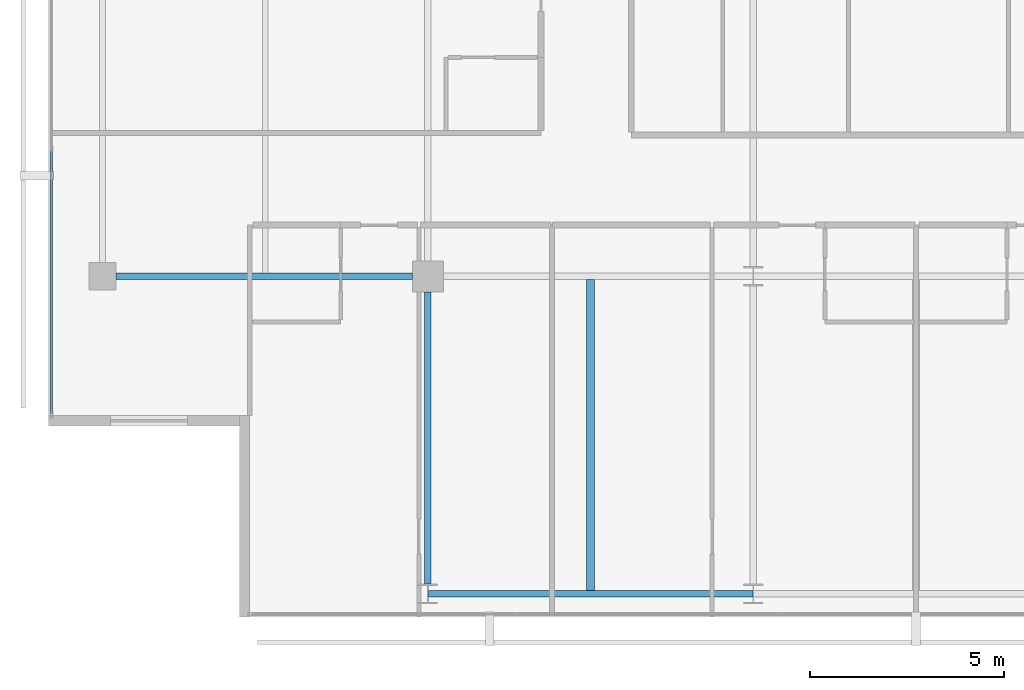
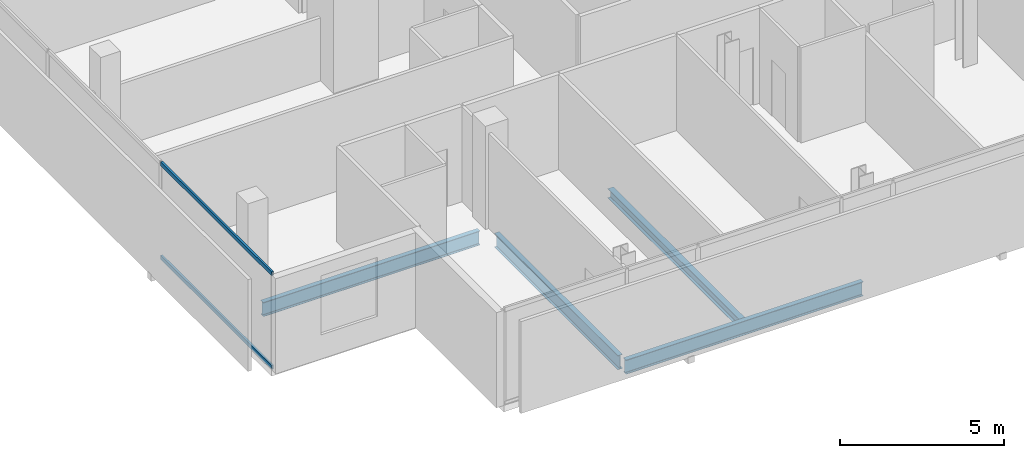
# One storey, part 3 of 26: 4 beams, 2 members, 1 element without a shape of its own.
"""IFC4 building model written with IfcOpenShell, lengths in metres."""

import ifcopenshell
import ifcopenshell.guid

model = None  # the IFC model being written
_history = None  # IfcOwnerHistory: only IFC2X3 demands one
_inside = {}  # id of a spatial element -> (the spatial element, [elements in it])
_under = {}  # id of a project, library or spatial element -> (it, [spatial elements below it])
_declared = {}  # id of a project -> (the project, [libraries it declares])
_typed = {}  # id of a type object -> (the type object, [elements of that type])
_made_of = {}  # id of a material, layer set ... -> (it, [elements and type objects made of it])


def new_model(schema):
    """Start an empty IFC model of exactly this schema.

    Asked for "IFC4X3", IfcOpenShell would pick the latest addendum, in which some entities
    have other attributes; the version numbers below select the first issue.
    IFC2X3 requires an IfcOwnerHistory on every rooted entity: one is made here for all.
    """
    global model, _history
    if schema == "IFC4X3":
        model = ifcopenshell.file(schema_version=(4, 3, 0, 0))
    else:
        model = ifcopenshell.file(schema=schema)
    _inside.clear()
    _under.clear()
    _declared.clear()
    _typed.clear()
    _made_of.clear()
    _history = None
    if model.schema == "IFC2X3":
        org = make("IfcOrganization", Name="unknown")
        user = make(
            "IfcPersonAndOrganization",
            ThePerson=make("IfcPerson", FamilyName="unknown"),
            TheOrganization=org,
        )
        app = make(
            "IfcApplication",
            ApplicationDeveloper=org,
            Version="unknown",
            ApplicationFullName="unknown",
            ApplicationIdentifier="unknown",
        )
        _history = make(
            "IfcOwnerHistory",
            OwningUser=user,
            OwningApplication=app,
            ChangeAction="ADDED",
            CreationDate=0,
        )
    return model


def make(cls, **values):
    """One entity of the class cls with the attributes given. An attribute that is None is left unset."""
    return model.create_entity(
        cls, **{name: value for name, value in values.items() if value is not None}
    )


def rooted(cls, **values):
    """An entity with a GlobalId (a new one), such as an element, a storey or a relation."""
    return make(cls, GlobalId=ifcopenshell.guid.new(), OwnerHistory=_history, **values)


def si_unit(unit_type, name, prefix=None):
    """IfcSIUnit, for example si_unit("LENGTHUNIT", "METRE", prefix="MILLI")."""
    return make("IfcSIUnit", UnitType=unit_type, Prefix=prefix, Name=name)


def assignment(units):
    """IfcUnitAssignment: the units of a project."""
    return None if units is None else make("IfcUnitAssignment", Units=units)


def point(xyz):
    """IfcCartesianPoint."""
    return None if xyz is None else make("IfcCartesianPoint", Coordinates=xyz)


def direction(xyz):
    """IfcDirection."""
    return None if xyz is None else make("IfcDirection", DirectionRatios=xyz)


def frame(location, z_axis=None, x_axis=None):
    """IfcAxis2Placement3D, a coordinate frame: its origin and axes. An axis left out is left unset."""
    return make(
        "IfcAxis2Placement3D",
        Location=point(location),
        Axis=direction(z_axis),
        RefDirection=direction(x_axis),
    )


def frame_2d(location, x_axis=None):
    """IfcAxis2Placement2D, a coordinate frame in the plane: its origin and x axis."""
    return make(
        "IfcAxis2Placement2D", Location=point(location), RefDirection=direction(x_axis)
    )


def origin():
    """The frame at (0, 0, 0) with its axes left unset."""
    return frame((0.0, 0.0, 0.0))


def origin_2d():
    """The frame at (0, 0) in the plane with its x axis left unset."""
    return frame_2d((0.0, 0.0))


def place(relative_to, where):
    """IfcLocalPlacement: puts the frame where relative to a parent placement (None: the world)."""
    return make(
        "IfcLocalPlacement", PlacementRelTo=relative_to, RelativePlacement=where
    )


def context(
    kind, dimensions, precision=None, world=None, true_north=None, identifier=None
):
    """IfcGeometricRepresentationContext, for example the 3D "Model" context."""
    return make(
        "IfcGeometricRepresentationContext",
        ContextIdentifier=identifier,
        ContextType=kind,
        CoordinateSpaceDimension=dimensions,
        Precision=precision,
        WorldCoordinateSystem=world,
        TrueNorth=true_north,
    )


def subcontext(parent, identifier, kind, view, scale=None):
    """IfcGeometricRepresentationSubContext, for example "Body" below "Model"."""
    return make(
        "IfcGeometricRepresentationSubContext",
        ContextIdentifier=identifier,
        ContextType=kind,
        ParentContext=parent,
        TargetScale=scale,
        TargetView=view,
    )


def project(units=None, contexts=None):
    """IfcProject with its units and contexts."""
    return rooted(
        "IfcProject",
        Name="project",
        RepresentationContexts=contexts,
        UnitsInContext=assignment(units),
    )


def spatial(cls, under=None, at=None, **own):
    """A site, building, storey or space (cls), placed at a placement, below another one or the project."""
    s = rooted(cls, ObjectPlacement=at, **own)
    if under is not None:
        _under.setdefault(under.id(), (under, []))[1].append(s)
    return s


def profile(cls, at=None, kind="AREA", **sizes):
    """A parametric profile (cls). Its sizes go by their IFC names, for example OverallWidth=200.0."""
    return make(cls, ProfileType=kind, Position=at, **sizes)


def hollow_rectangle(**sizes):
    """IfcRectangleHollowProfileDef."""
    return profile("IfcRectangleHollowProfileDef", **sizes)


def i_section(**sizes):
    """IfcIShapeProfileDef."""
    return profile("IfcIShapeProfileDef", **sizes)


def extrude(swept, where, along, depth):
    """IfcExtrudedAreaSolid: the profile swept, set in the frame where, extruded along a direction by depth."""
    return make(
        "IfcExtrudedAreaSolid",
        SweptArea=swept,
        Position=where,
        ExtrudedDirection=direction(along),
        Depth=depth,
    )


def shape(context_of_items, identifier, shape_type, items):
    """IfcShapeRepresentation: the items that make up one representation, for example the "Body"."""
    return make(
        "IfcShapeRepresentation",
        ContextOfItems=context_of_items,
        RepresentationIdentifier=identifier,
        RepresentationType=shape_type,
        Items=items,
    )


def material(Name=None, Category=None):
    """IfcMaterial."""
    return make("IfcMaterial", Name=Name, Category=Category)


def layer(
    of_material, thickness, ventilated=None, Name=None, Category=None, Priority=None
):
    """IfcMaterialLayer: one layer of a wall or slab, of a material (None: an air gap)."""
    return make(
        "IfcMaterialLayer",
        Material=of_material,
        LayerThickness=thickness,
        IsVentilated=ventilated,
        Name=Name,
        Category=Category,
        Priority=Priority,
    )


def layer_set(layers, Name=None):
    """IfcMaterialLayerSet."""
    return make("IfcMaterialLayerSet", MaterialLayers=layers, LayerSetName=Name)


def material_profile(
    of_material, cross_section, Name=None, Category=None, Priority=None
):
    """IfcMaterialProfile: a cross section and its material."""
    return make(
        "IfcMaterialProfile",
        Name=Name,
        Material=of_material,
        Profile=cross_section,
        Priority=Priority,
        Category=Category,
    )


def profile_set(profiles, Name=None, composite=None):
    """IfcMaterialProfileSet."""
    return make(
        "IfcMaterialProfileSet",
        Name=Name,
        MaterialProfiles=profiles,
        CompositeProfile=composite,
    )


def made_of(thing, what):
    """Note that an element or type object is made of a material, layer set ...; save() writes the relation."""
    if what is not None:
        _made_of.setdefault(what.id(), (what, []))[1].append(thing)
    return thing


def type_object(cls, material=None, **own):
    """A type object (cls), such as IfcWallType, which elements share."""
    return made_of(rooted(cls, **own), material)


def element(
    cls,
    number,
    at=None,
    inside=None,
    cuts=None,
    type_object=None,
    material=None,
    context=None,
    identifier="Body",
    shape_type=None,
    held_by="IfcProductDefinitionShape",
    body=None,
    shapes=None,
    **own,
):
    """One element of the class cls, such as IfcWall. Its Tag is "e" and its number.

    at: its placement. inside: the storey or other place that contains it. cuts: it is an
    opening in that element (IfcRelVoidsElement). A single representation is given by context,
    identifier, shape_type and body (its items); several are given by shapes. held_by: the class
    of the entity that holds the representations. save() writes the other relations.
    """
    e = rooted(cls, Tag="e%d" % number, ObjectPlacement=at, **own)
    if body is not None:
        shapes = [shape(context, identifier, shape_type, body)]
    if shapes is not None:
        e.Representation = make(held_by, Representations=shapes)
    if inside is not None:
        _inside.setdefault(inside.id(), (inside, []))[1].append(e)
    if cuts is not None:
        rooted(
            "IfcRelVoidsElement", RelatingBuildingElement=cuts, RelatedOpeningElement=e
        )
    if type_object is not None:
        _typed.setdefault(type_object.id(), (type_object, []))[1].append(e)
    return made_of(e, material)


def aggregate(whole, parts):
    """IfcRelAggregates: a whole, such as a stair, and the parts it consists of."""
    return rooted("IfcRelAggregates", RelatingObject=whole, RelatedObjects=parts)


def save(model, path):
    """Write the relations noted so far, then the file.

    IfcRelAggregates (storeys below a building ...), IfcRelContainedInSpatialStructure (elements
    in a storey), IfcRelDefinesByType, IfcRelAssociatesMaterial and IfcRelDeclares: one each for
    every whole, place, type object, material and project.
    """
    for whole, parts in _under.values():
        aggregate(whole, parts)
    for where, things in _inside.values():
        rooted(
            "IfcRelContainedInSpatialStructure",
            RelatedElements=things,
            RelatingStructure=where,
        )
    for kind, things in _typed.values():
        rooted("IfcRelDefinesByType", RelatedObjects=things, RelatingType=kind)
    for what, things in _made_of.values():
        rooted("IfcRelAssociatesMaterial", RelatedObjects=things, RelatingMaterial=what)
    for by, libraries in _declared.values():
        rooted("IfcRelDeclares", RelatingContext=by, RelatedDefinitions=libraries)
    model.write(path)


model = new_model("IFC4")

# Units and contexts
model_context = context("Model", 3, precision=1e-05, world=origin(), true_north=direction((0.0, 1.0)))
body_context = subcontext(model_context, "Body", "Model", "MODEL_VIEW")
ifc_project = project(units=[si_unit("LENGTHUNIT", "METRE"), si_unit("AREAUNIT", "SQUARE_METRE"), si_unit("VOLUMEUNIT", "CUBIC_METRE"), si_unit("PLANEANGLEUNIT", "RADIAN"), si_unit("MASSUNIT", "GRAM", prefix="KILO")], contexts=[model_context])

# Site, building, storey
site_placement = place(None, origin())
site = spatial("IfcSite", under=ifc_project, at=site_placement, CompositionType="ELEMENT")
building_placement = place(site_placement, origin())
building = spatial("IfcBuilding", under=site, at=building_placement, Name="Maruvema Waterfront Hotel and Observation Tower", CompositionType="ELEMENT")
storey_placement = place(building_placement, frame((0.0, 0.0, 312.550048828125)))
storey = spatial("IfcBuildingStorey", under=building, at=storey_placement, Name="L77", CompositionType="ELEMENT", Elevation=312.550048828125)

# Curtain wall, members
ifc_material_1 = material(Name="Anodised bronze aluminium and solar-control low-E IGU", Category="aluminium")
ifc_layer = layer(ifc_material_1, 0.159912109375, Name="Zone 3 Champagne Inner Thermal Curtain Wall System CW-04")
ifc_layer_set = layer_set([ifc_layer], Name="Anodised bronze aluminium and solar-control low-E IGU")
curtain_wall_type = type_object("IfcCurtainWallType", Name="Zone 3 Champagne Inner Thermal Curtain Wall System CW-04", PredefinedType="USERDEFINED", material=ifc_layer_set)
curtain_wall_placement = place(storey_placement, origin())
curtain_wall = element("IfcCurtainWall", 1, at=curtain_wall_placement, inside=storey, type_object=curtain_wall_type, Name="L77 Curtain Wall CW-L77-W", ObjectType="UNITISED CURTAIN WALL", PredefinedType="USERDEFINED")
ifc_material_2 = material(Name="Anodised architectural bronze aluminium", Category="aluminium")
ifc_material_profile_1 = material_profile(ifc_material_2, hollow_rectangle(XDim=0.070068359375, YDim=0.14990234375, WallThickness=0.00390625, at=origin_2d()), Name="ALU-T70x150")
ifc_profile_set_1 = profile_set([ifc_material_profile_1], Name="Anodised architectural bronze aluminium")
member_type = type_object("IfcMemberType", Name="Curtain Wall Horizontal Transom ALU-T70x150", PredefinedType="USERDEFINED", material=ifc_profile_set_1)
member_1_placement = place(storey_placement, frame((15.47998046875, 21.25, 0.030029296875), z_axis=(0.0, -1.0, 0.0), x_axis=(1.0, 0.0, 0.0)))
member_1 = element("IfcMember", 2, at=member_1_placement, type_object=member_type, Name="CW-04 transom 5.1", ObjectType="TRANSOM", PredefinedType="USERDEFINED", context=body_context, shape_type="SweptSolid", body=[
    extrude(hollow_rectangle(XDim=0.070068359375, YDim=0.14990234375, WallThickness=0.00390625, at=origin_2d()), origin(), (0.0, 0.0, 1.0), 6.7900390625),
])
member_2_placement = place(storey_placement, frame((15.47998046875, 21.25, 3.52001953125), z_axis=(0.0, -1.0, 0.0), x_axis=(1.0, 0.0, 0.0)))
member_2 = element("IfcMember", 3, at=member_2_placement, type_object=member_type, Name="CW-04 transom 5.2", ObjectType="TRANSOM", PredefinedType="USERDEFINED", context=body_context, shape_type="SweptSolid", body=[
    extrude(hollow_rectangle(XDim=0.070068359375, YDim=0.14990234375, WallThickness=0.00390625, at=origin_2d()), origin(), (0.0, 0.0, 1.0), 6.7900390625),
])
aggregate(curtain_wall, [member_1, member_2])

# Beams
ifc_material_3 = material(Name="Steel ASTM A572 Grade 50", Category="steel")
ifc_material_profile_2 = material_profile(ifc_material_3, i_section(OverallWidth=0.166015625, OverallDepth=0.529052734375, WebThickness=0.009765625, FlangeThickness=0.013671875, FilletRadius=0.014892578125, at=origin_2d()), Name="W530x74.0")
ifc_profile_set_2 = profile_set([ifc_material_profile_2], Name="Steel ASTM A572 Grade 50")
beam_type_1 = type_object("IfcBeamType", Name="Primary Floor Girder W530x74.0", PredefinedType="BEAM", material=ifc_profile_set_2)
beam_1_placement = place(storey_placement, frame((25.2109375, 9.800048828125, -0.504638671875), z_axis=(1.0, 0.0, 0.0), x_axis=(0.0, 1.0, 0.0)))
element("IfcBeam", 4, at=beam_1_placement, inside=storey, type_object=beam_type_1, Name="L77 Floor Girder EW-01", PredefinedType="BEAM", context=body_context, shape_type="SweptSolid", body=[
    extrude(i_section(OverallWidth=0.166015625, OverallDepth=0.529052734375, WebThickness=0.009765625, FlangeThickness=0.013671875, FilletRadius=0.014892578125, at=origin_2d()), origin(), (0.0, 0.0, 1.0), 8.378173828125),
])
beam_2_placement = place(storey_placement, frame((17.14990234375, 18.0, -0.504638671875), z_axis=(1.0, 0.0, 0.0), x_axis=(0.0, 1.0, 0.0)))
element("IfcBeam", 5, at=beam_2_placement, inside=storey, type_object=beam_type_1, Name="L77 Floor Girder EW-04", PredefinedType="BEAM", context=body_context, shape_type="SweptSolid", body=[
    extrude(i_section(OverallWidth=0.166015625, OverallDepth=0.529052734375, WebThickness=0.009765625, FlangeThickness=0.013671875, FilletRadius=0.014892578125, at=origin_2d()), origin(), (0.0, 0.0, 1.0), 7.650146484375),
])
beam_3_placement = place(storey_placement, frame((25.199951171875, 10.050048828125, -0.504638671875), z_axis=(0.0, 1.0, 0.0), x_axis=(-1.0, 0.0, 0.0)))
element("IfcBeam", 6, at=beam_3_placement, inside=storey, type_object=beam_type_1, Name="L77 Floor Girder NS-04", PredefinedType="BEAM", context=body_context, shape_type="SweptSolid", body=[
    extrude(i_section(OverallWidth=0.166015625, OverallDepth=0.529052734375, WebThickness=0.009765625, FlangeThickness=0.013671875, FilletRadius=0.014892578125, at=origin_2d()), origin(), (0.0, 0.0, 1.0), 7.550048828125),
])
ifc_material_4 = material(Name="Steel ASTM A572 Grade 50", Category="steel")
ifc_material_profile_3 = material_profile(ifc_material_4, i_section(OverallWidth=0.202880859375, OverallDepth=0.346923828125, WebThickness=0.0078125, FlangeThickness=0.013427734375, FilletRadius=0.014892578125, at=origin_2d()), Name="W360x64.0")
ifc_profile_set_3 = profile_set([ifc_material_profile_3], Name="Steel ASTM A572 Grade 50")
beam_type_2 = type_object("IfcBeamType", Name="Secondary Floor Joist W360x64.0", PredefinedType="JOIST", material=ifc_profile_set_3)
beam_4_placement = place(storey_placement, frame((29.39990234375, 9.883056640625, -0.41357421875), z_axis=(0.0, 1.0, 0.0), x_axis=(-1.0, 0.0, 0.0)))
element("IfcBeam", 7, at=beam_4_placement, inside=storey, type_object=beam_type_2, Name="L77 Secondary Floor Joist JS-04", PredefinedType="JOIST", context=body_context, shape_type="SweptSolid", body=[
    extrude(i_section(OverallWidth=0.202880859375, OverallDepth=0.346923828125, WebThickness=0.0078125, FlangeThickness=0.013427734375, FilletRadius=0.014892578125, at=origin_2d()), origin(), (0.0, 0.0, 1.0), 8.033935546875),
])

save(model, "model.ifc")
